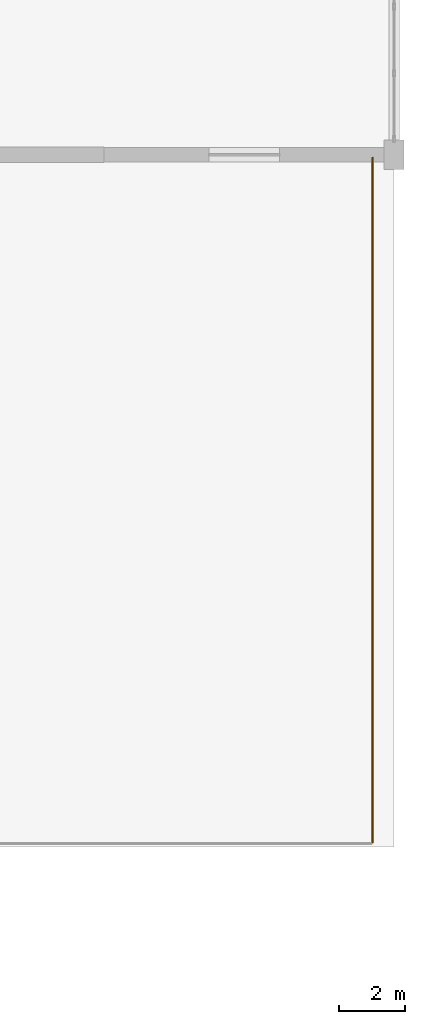
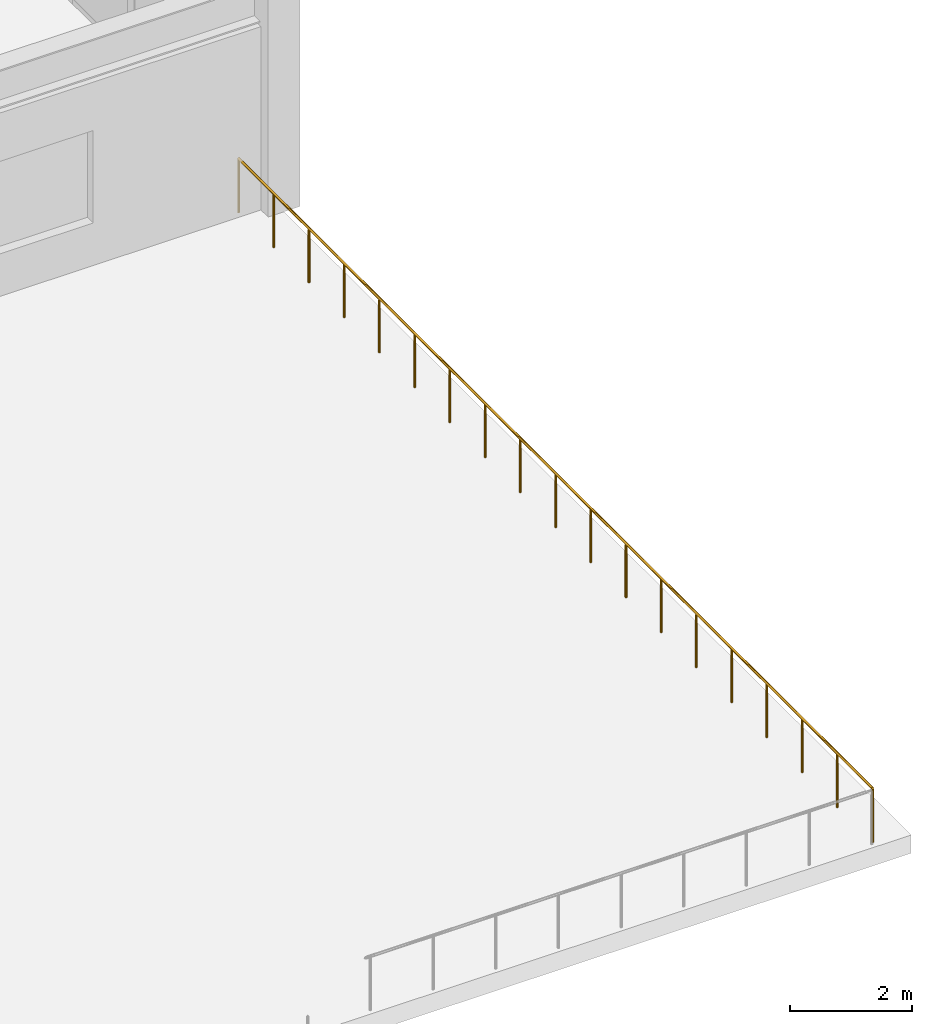
# One storey, part 62 of 62: 1 railing.
"""IFC4 building model written with IfcOpenShell, lengths in metres."""

from ifc_helpers import new_model, si_unit, direction, frame, origin, origin_2d, place, context, subcontext, project, spatial, circle, extrude, material, type_object, element, save


model = new_model("IFC4")

# Units and contexts
model_context = context("Model", 3, precision=1e-05, world=origin(), true_north=direction((0.0, 1.0)))
body_context = subcontext(model_context, "Body", "Model", "MODEL_VIEW")
ifc_project = project(units=[si_unit("LENGTHUNIT", "METRE"), si_unit("AREAUNIT", "SQUARE_METRE"), si_unit("VOLUMEUNIT", "CUBIC_METRE"), si_unit("PLANEANGLEUNIT", "RADIAN"), si_unit("MASSUNIT", "GRAM", prefix="KILO")], contexts=[model_context])

# Site, building, storey
site_placement = place(None, origin())
site = spatial("IfcSite", under=ifc_project, at=site_placement, CompositionType="ELEMENT")
building_placement = place(site_placement, origin())
building = spatial("IfcBuilding", under=site, at=building_placement, Name="Vaelkrest Opera House", CompositionType="ELEMENT")
storey_placement = place(building_placement, frame((0.0, 0.0, 19.800048828125)))
storey = spatial("IfcBuildingStorey", under=building, at=storey_placement, Name="L04", CompositionType="ELEMENT", Elevation=19.800048828125)

# Railing
ifc_material = material(Name="Dark bronze anodized aluminium", Category="aluminium")
railing_type = type_object("IfcRailingType", Name="GR01", PredefinedType="GUARDRAIL", material=ifc_material)
railing_placement = place(storey_placement, frame((68.14990234375, -19.659912109375, 0.0)))
element("IfcRailing", 1, at=railing_placement, inside=storey, type_object=railing_type, Name="L04 Workshop Roof Garden guardrail seg 3", PredefinedType="GUARDRAIL", context=body_context, shape_type="SweptSolid", body=[
    extrude(circle(Radius=0.02392578125, at=origin_2d()), frame((0.0, 0.0, 1.076171875), z_axis=(0.0, 1.0, 0.0), x_axis=(-1.0, 0.0, 0.0)), (0.0, 0.0, 1.0), 20.77001953125),
    extrude(circle(Radius=0.02099609375, at=origin_2d()), origin(), (0.0, 0.0, 1.0), 1.052001953125),
    extrude(circle(Radius=0.02099609375, at=origin_2d()), frame((0.0, 1.15380859375, 0.0)), (0.0, 0.0, 1.0), 1.052001953125),
    extrude(circle(Radius=0.02099609375, at=origin_2d()), frame((0.0, 2.307861328125, 0.0)), (0.0, 0.0, 1.0), 1.052001953125),
    extrude(circle(Radius=0.02099609375, at=origin_2d()), frame((0.0, 3.461669921875, 0.0)), (0.0, 0.0, 1.0), 1.052001953125),
    extrude(circle(Radius=0.02099609375, at=origin_2d()), frame((0.0, 4.615478515625, 0.0)), (0.0, 0.0, 1.0), 1.052001953125),
    extrude(circle(Radius=0.02099609375, at=origin_2d()), frame((0.0, 5.76953125, 0.0)), (0.0, 0.0, 1.0), 1.052001953125),
    extrude(circle(Radius=0.02099609375, at=origin_2d()), frame((0.0, 6.92333984375, 0.0)), (0.0, 0.0, 1.0), 1.052001953125),
    extrude(circle(Radius=0.02099609375, at=origin_2d()), frame((0.0, 8.0771484375, 0.0)), (0.0, 0.0, 1.0), 1.052001953125),
    extrude(circle(Radius=0.02099609375, at=origin_2d()), frame((0.0, 9.231201171875, 0.0)), (0.0, 0.0, 1.0), 1.052001953125),
    extrude(circle(Radius=0.02099609375, at=origin_2d()), frame((0.0, 10.385009765625, 0.0)), (0.0, 0.0, 1.0), 1.052001953125),
    extrude(circle(Radius=0.02099609375, at=origin_2d()), frame((0.0, 11.538818359375, 0.0)), (0.0, 0.0, 1.0), 1.052001953125),
    extrude(circle(Radius=0.02099609375, at=origin_2d()), frame((0.0, 12.69287109375, 0.0)), (0.0, 0.0, 1.0), 1.052001953125),
    extrude(circle(Radius=0.02099609375, at=origin_2d()), frame((0.0, 13.8466796875, 0.0)), (0.0, 0.0, 1.0), 1.052001953125),
    extrude(circle(Radius=0.02099609375, at=origin_2d()), frame((0.0, 15.00048828125, 0.0)), (0.0, 0.0, 1.0), 1.052001953125),
    extrude(circle(Radius=0.02099609375, at=origin_2d()), frame((0.0, 16.154541015625, 0.0)), (0.0, 0.0, 1.0), 1.052001953125),
    extrude(circle(Radius=0.02099609375, at=origin_2d()), frame((0.0, 17.308349609375, 0.0)), (0.0, 0.0, 1.0), 1.052001953125),
    extrude(circle(Radius=0.02099609375, at=origin_2d()), frame((0.0, 18.462158203125, 0.0)), (0.0, 0.0, 1.0), 1.052001953125),
    extrude(circle(Radius=0.02099609375, at=origin_2d()), frame((0.0, 19.6162109375, 0.0)), (0.0, 0.0, 1.0), 1.052001953125),
    extrude(circle(Radius=0.02099609375, at=origin_2d()), frame((0.0, 20.77001953125, 0.0)), (0.0, 0.0, 1.0), 1.052001953125),
])

save(model, "model.ifc")
